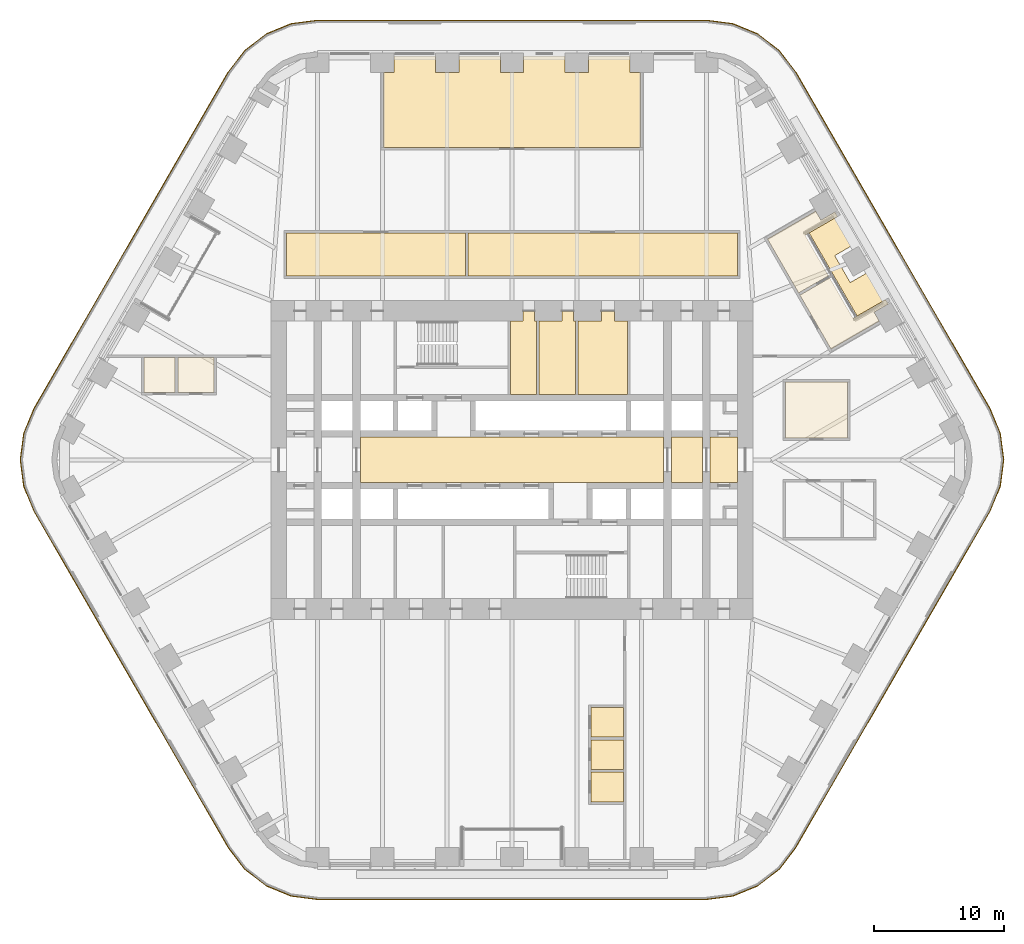
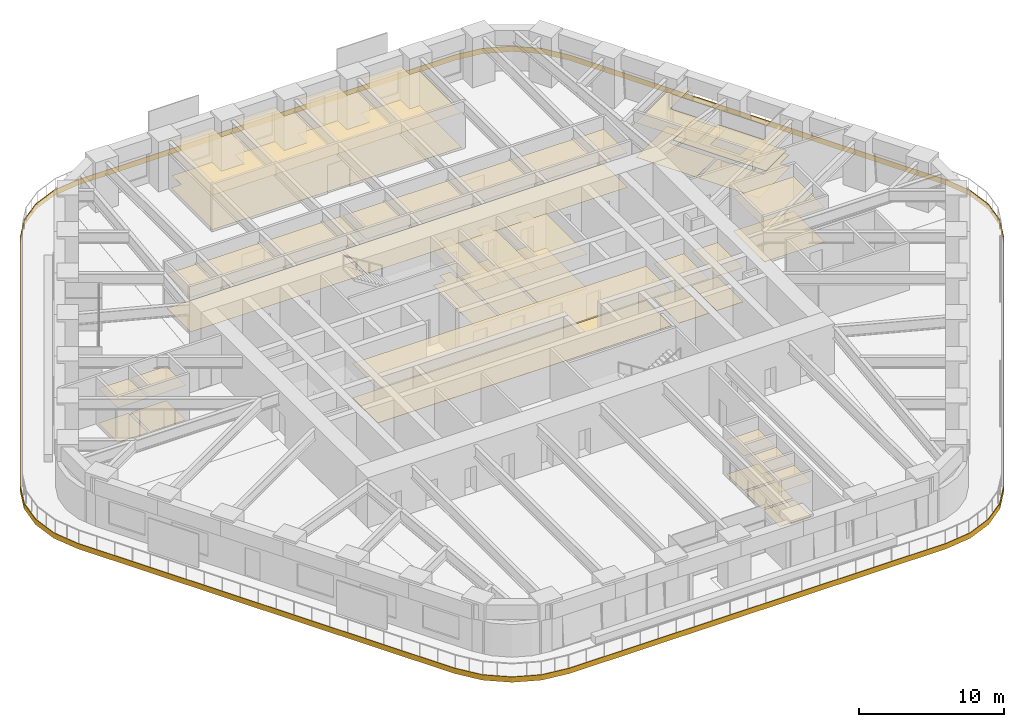
# One storey, part 23 of 24: 16 coverings.
"""IFC4 building model written with IfcOpenShell, lengths in metres."""

from ifc_helpers import new_model, si_unit, direction, frame, origin, place, context, subcontext, project, spatial, polyline, outline, extrude, material, layer, layer_set, type_object, element, save


model = new_model("IFC4")

# Units and contexts
model_context = context("Model", 3, precision=1e-05, world=origin(), true_north=direction((0.0, 1.0)))
body_context = subcontext(model_context, "Body", "Model", "MODEL_VIEW")
ifc_project = project(units=[si_unit("LENGTHUNIT", "METRE"), si_unit("AREAUNIT", "SQUARE_METRE"), si_unit("VOLUMEUNIT", "CUBIC_METRE"), si_unit("PLANEANGLEUNIT", "RADIAN"), si_unit("MASSUNIT", "GRAM", prefix="KILO")], contexts=[model_context])

# Site, building, storey
site_placement = place(None, origin())
site = spatial("IfcSite", under=ifc_project, at=site_placement, CompositionType="ELEMENT")
building_placement = place(site_placement, origin())
building = spatial("IfcBuilding", under=site, at=building_placement, Name="Tarfa Lantern Tower", CompositionType="ELEMENT")
storey_placement = place(building_placement, frame((0.0, 0.0, 136.300048828125)))
storey = spatial("IfcBuildingStorey", under=building, at=storey_placement, Name="L30", CompositionType="ELEMENT", Elevation=136.300048828125)

# Coverings
ifc_material_1 = material(Name="Mineral fibre acoustic tile on suspension grid", Category="finish")
ifc_layer_1 = layer(ifc_material_1, 0.02001953125)
ifc_layer_set_1 = layer_set([ifc_layer_1], Name="CL1 ACOUSTIC TILE CEILING 20")
covering_type_1 = type_object("IfcCoveringType", Name="CL1 ACOUSTIC TILE CEILING 20", PredefinedType="CEILING", material=ifc_layer_set_1)
covering_1_placement = place(storey_placement, frame((0.0, 0.0, 2.89990234375)))
element("IfcCovering", 1, at=covering_1_placement, inside=storey, type_object=covering_type_1, Name="Ceiling L30 CL1", PredefinedType="CEILING", context=body_context, shape_type="SweptSolid", body=[
    extrude(outline(polyline([(-17.39990234375, 17.5), (-3.60009765625, 17.5), (-3.60009765625, 14.199951171875), (-17.39990234375, 14.199951171875), (-17.39990234375, 17.5)])), origin(), (0.0, 0.0, 1.0), 0.02001953125),
    extrude(outline(polyline([(-3.39990234375, 17.5), (17.39990234375, 17.5), (17.39990234375, 14.199951171875), (-3.39990234375, 14.199951171875), (-3.39990234375, 17.5)])), origin(), (0.0, 0.0, 1.0), 0.02001953125),
    extrude(outline(polyline([(9.907470703125, 24.10009765625), (-9.907470703125, 24.10009765625), (-9.907470703125, 29.89990234375), (-9.107421875, 29.89990234375), (-9.107421875, 31.14990234375), (-5.90380859375, 31.14990234375), (-5.90380859375, 29.89990234375), (-4.103759765625, 29.89990234375), (-4.103759765625, 31.14990234375), (-0.89990234375, 31.14990234375), (-0.89990234375, 29.89990234375), (0.89990234375, 29.89990234375), (0.89990234375, 31.14990234375), (4.103759765625, 31.14990234375), (4.103759765625, 29.89990234375), (5.90380859375, 29.89990234375), (5.90380859375, 31.14990234375), (9.107421875, 31.14990234375), (9.107421875, 29.89990234375), (9.907470703125, 29.89990234375), (9.907470703125, 24.10009765625)])), origin(), (0.0, 0.0, 1.0), 0.02001953125),
    extrude(outline(polyline([(24.6220703125, 8.55322265625), (22.22021484375, 12.71337890625), (24.51513671875, 14.038330078125), (26.317138671875, 10.91748046875), (28.82861328125, 12.367431640625), (29.028564453125, 12.02099609375), (27.946044921875, 11.39599609375), (28.345947265625, 10.703369140625), (24.6220703125, 8.55322265625)])), origin(), (0.0, 0.0, 1.0), 0.02001953125),
    extrude(outline(polyline([(19.718505859375, 17.046630859375), (23.4423828125, 19.19677734375), (23.84228515625, 18.50390625), (24.9248046875, 19.12890625), (25.124755859375, 18.782470703125), (22.61328125, 17.33251953125), (24.415283203125, 14.211669921875), (22.120361328125, 12.88671875), (19.718505859375, 17.046630859375)])), origin(), (0.0, 0.0, 1.0), 0.02001953125),
    extrude(outline(polyline([(-25.795166015625, 5.199951171875), (-25.795166015625, 7.89990234375), (-22.9951171875, 7.89990234375), (-22.9951171875, 5.199951171875), (-25.795166015625, 5.199951171875)])), origin(), (0.0, 0.0, 1.0), 0.02001953125),
    extrude(outline(polyline([(-28.39501953125, 5.199951171875), (-28.39501953125, 7.89990234375), (-25.9951171875, 7.89990234375), (-25.9951171875, 5.199951171875), (-28.39501953125, 5.199951171875)])), origin(), (0.0, 0.0, 1.0), 0.02001953125),
    extrude(outline(polyline([(6.10009765625, -21.39990234375), (6.10009765625, -19.10009765625), (8.60009765625, -19.10009765625), (8.60009765625, -21.39990234375), (6.10009765625, -21.39990234375)])), origin(), (0.0, 0.0, 1.0), 0.02001953125),
    extrude(outline(polyline([(6.10009765625, -23.89990234375), (6.10009765625, -21.60009765625), (8.60009765625, -21.60009765625), (8.60009765625, -23.89990234375), (6.10009765625, -23.89990234375)])), origin(), (0.0, 0.0, 1.0), 0.02001953125),
    extrude(outline(polyline([(6.10009765625, -26.39990234375), (6.10009765625, -24.10009765625), (8.60009765625, -24.10009765625), (8.60009765625, -26.39990234375), (6.10009765625, -26.39990234375)])), origin(), (0.0, 0.0, 1.0), 0.02001953125),
    extrude(outline(polyline([(21.10009765625, 6.0), (25.89990234375, 6.0), (25.89990234375, 1.699951171875), (21.10009765625, 1.699951171875), (21.10009765625, 6.0)])), origin(), (0.0, 0.0, 1.0), 0.02001953125),
])
ifc_material_2 = material(Name="Moisture-resistant plasterboard", Category="finish")
ifc_layer_2 = layer(ifc_material_2, 0.014892578125)
ifc_layer_set_2 = layer_set([ifc_layer_2], Name="CL2 MOISTURE-RESISTANT PLASTERBOARD CEILING 15")
covering_type_2 = type_object("IfcCoveringType", Name="CL2 MOISTURE-RESISTANT PLASTERBOARD CEILING 15", PredefinedType="CEILING", material=ifc_layer_set_2)
covering_2_placement = place(storey_placement, frame((0.0, 0.0, 2.89990234375)))
element("IfcCovering", 2, at=covering_2_placement, inside=storey, type_object=covering_type_2, Name="Ceiling L30-09", PredefinedType="CEILING", context=body_context, shape_type="SweptSolid", body=[
    extrude(outline(polyline([(0.85009765625, 10.699951171875), (-0.10009765625, 10.699951171875), (-0.10009765625, 5.050048828125), (1.89990234375, 5.050048828125), (1.89990234375, 10.699951171875), (1.75, 10.699951171875), (1.75, 11.5), (1.75, 11.5), (0.85009765625, 11.5), (0.85009765625, 10.699951171875)])), origin(), (0.0, 0.0, 1.0), 0.01513671875),
])
covering_3_placement = place(storey_placement, frame((0.0, 0.0, 2.89990234375)))
element("IfcCovering", 3, at=covering_3_placement, inside=storey, type_object=covering_type_2, Name="Ceiling L30-10", PredefinedType="CEILING", context=body_context, shape_type="SweptSolid", body=[
    extrude(outline(polyline([(2.10009765625, 5.050048828125), (4.89990234375, 5.050048828125), (4.89990234375, 10.699951171875), (4.75, 10.699951171875), (4.75, 11.5), (3.85009765625, 11.5), (3.85009765625, 10.699951171875), (2.10009765625, 10.699951171875), (2.10009765625, 5.050048828125)])), origin(), (0.0, 0.0, 1.0), 0.01513671875),
])
covering_4_placement = place(storey_placement, frame((0.0, 0.0, 2.89990234375)))
element("IfcCovering", 4, at=covering_4_placement, inside=storey, type_object=covering_type_2, Name="Ceiling L30-11", PredefinedType="CEILING", context=body_context, shape_type="SweptSolid", body=[
    extrude(outline(polyline([(5.10009765625, 5.050048828125), (8.89990234375, 5.050048828125), (8.89990234375, 10.699951171875), (7.89990234375, 10.699951171875), (7.89990234375, 11.5), (6.89990234375, 11.5), (6.89990234375, 10.699951171875), (5.10009765625, 10.699951171875), (5.10009765625, 5.050048828125)])), origin(), (0.0, 0.0, 1.0), 0.01513671875),
])
ifc_material_3 = material(Name="Powder-coated aluminium panel", Category="aluminium")
ifc_layer_3 = layer(ifc_material_3, 0.030029296875)
ifc_layer_set_3 = layer_set([ifc_layer_3], Name="CL3 METAL PANEL CEILING 30")
covering_type_3 = type_object("IfcCoveringType", Name="CL3 METAL PANEL CEILING 30", PredefinedType="CEILING", material=ifc_layer_set_3)
covering_5_placement = place(storey_placement, frame((0.0, 0.0, 2.89990234375)))
element("IfcCovering", 5, at=covering_5_placement, inside=storey, type_object=covering_type_3, Name="Ceiling L30-03", PredefinedType="CEILING", context=body_context, shape_type="SweptSolid", body=[
    extrude(outline(polyline([(-11.699951171875, -1.75), (11.699951171875, -1.75), (11.699951171875, 1.75), (-11.699951171875, 1.75), (-11.699951171875, -1.75)])), origin(), (0.0, 0.0, 1.0), 0.030029296875),
])
covering_6_placement = place(storey_placement, frame((0.0, 0.0, 2.89990234375)))
element("IfcCovering", 6, at=covering_6_placement, inside=storey, type_object=covering_type_3, Name="Ceiling L30-04", PredefinedType="CEILING", context=body_context, shape_type="SweptSolid", body=[
    extrude(outline(polyline([(12.300048828125, -1.75), (14.699951171875, -1.75), (14.699951171875, 1.75), (12.300048828125, 1.75), (12.300048828125, -1.75)])), origin(), (0.0, 0.0, 1.0), 0.030029296875),
])
covering_7_placement = place(storey_placement, frame((0.0, 0.0, 2.89990234375)))
element("IfcCovering", 7, at=covering_7_placement, inside=storey, type_object=covering_type_3, Name="Ceiling L30-05", PredefinedType="CEILING", context=body_context, shape_type="SweptSolid", body=[
    extrude(outline(polyline([(15.300048828125, -1.75), (17.39990234375, -1.75), (17.39990234375, 1.75), (15.300048828125, 1.75), (15.300048828125, -1.75)])), origin(), (0.0, 0.0, 1.0), 0.030029296875),
])
ifc_material_4 = material(Name="Nylon carpet tile", Category="finish")
ifc_layer_4 = layer(ifc_material_4, 0.010009765625)
ifc_layer_set_4 = layer_set([ifc_layer_4], Name="FL1 CARPET TILE 10")
covering_type_4 = type_object("IfcCoveringType", Name="FL1 CARPET TILE 10", PredefinedType="FLOORING", material=ifc_layer_set_4)
covering_8_placement = place(storey_placement, origin())
element("IfcCovering", 8, at=covering_8_placement, inside=storey, type_object=covering_type_4, Name="Floor finish L30 FL1", PredefinedType="FLOORING", context=body_context, shape_type="SweptSolid", body=[
    extrude(outline(polyline([(-17.39990234375, 17.5), (-3.60009765625, 17.5), (-3.60009765625, 14.199951171875), (-17.39990234375, 14.199951171875), (-17.39990234375, 17.5)])), origin(), (0.0, 0.0, 1.0), 0.010009765625),
    extrude(outline(polyline([(-3.39990234375, 17.5), (17.39990234375, 17.5), (17.39990234375, 14.199951171875), (-3.39990234375, 14.199951171875), (-3.39990234375, 17.5)])), origin(), (0.0, 0.0, 1.0), 0.010009765625),
    extrude(outline(polyline([(9.907470703125, 24.10009765625), (-9.907470703125, 24.10009765625), (-9.907470703125, 29.89990234375), (-9.107421875, 29.89990234375), (-9.107421875, 31.14990234375), (-5.90380859375, 31.14990234375), (-5.90380859375, 29.89990234375), (-4.103759765625, 29.89990234375), (-4.103759765625, 31.14990234375), (-0.89990234375, 31.14990234375), (-0.89990234375, 29.89990234375), (0.89990234375, 29.89990234375), (0.89990234375, 31.14990234375), (4.103759765625, 31.14990234375), (4.103759765625, 29.89990234375), (5.90380859375, 29.89990234375), (5.90380859375, 31.14990234375), (9.107421875, 31.14990234375), (9.107421875, 29.89990234375), (9.907470703125, 29.89990234375), (9.907470703125, 24.10009765625)])), origin(), (0.0, 0.0, 1.0), 0.010009765625),
    extrude(outline(polyline([(24.6220703125, 8.55322265625), (22.22021484375, 12.71337890625), (24.51513671875, 14.038330078125), (26.317138671875, 10.91748046875), (28.82861328125, 12.367431640625), (29.028564453125, 12.02099609375), (27.946044921875, 11.39599609375), (28.345947265625, 10.703369140625), (24.6220703125, 8.55322265625)])), origin(), (0.0, 0.0, 1.0), 0.010009765625),
    extrude(outline(polyline([(19.718505859375, 17.046630859375), (23.4423828125, 19.19677734375), (23.84228515625, 18.50390625), (24.9248046875, 19.12890625), (25.124755859375, 18.782470703125), (22.61328125, 17.33251953125), (24.415283203125, 14.211669921875), (22.120361328125, 12.88671875), (19.718505859375, 17.046630859375)])), origin(), (0.0, 0.0, 1.0), 0.010009765625),
    extrude(outline(polyline([(-25.795166015625, 5.199951171875), (-25.795166015625, 7.89990234375), (-22.9951171875, 7.89990234375), (-22.9951171875, 5.199951171875), (-25.795166015625, 5.199951171875)])), origin(), (0.0, 0.0, 1.0), 0.010009765625),
    extrude(outline(polyline([(-28.39501953125, 5.199951171875), (-28.39501953125, 7.89990234375), (-25.9951171875, 7.89990234375), (-25.9951171875, 5.199951171875), (-28.39501953125, 5.199951171875)])), origin(), (0.0, 0.0, 1.0), 0.010009765625),
    extrude(outline(polyline([(6.10009765625, -21.39990234375), (6.10009765625, -19.10009765625), (8.60009765625, -19.10009765625), (8.60009765625, -21.39990234375), (6.10009765625, -21.39990234375)])), origin(), (0.0, 0.0, 1.0), 0.010009765625),
    extrude(outline(polyline([(6.10009765625, -23.89990234375), (6.10009765625, -21.60009765625), (8.60009765625, -21.60009765625), (8.60009765625, -23.89990234375), (6.10009765625, -23.89990234375)])), origin(), (0.0, 0.0, 1.0), 0.010009765625),
    extrude(outline(polyline([(6.10009765625, -26.39990234375), (6.10009765625, -24.10009765625), (8.60009765625, -24.10009765625), (8.60009765625, -26.39990234375), (6.10009765625, -26.39990234375)])), origin(), (0.0, 0.0, 1.0), 0.010009765625),
    extrude(outline(polyline([(21.10009765625, 6.0), (25.89990234375, 6.0), (25.89990234375, 1.699951171875), (21.10009765625, 1.699951171875), (21.10009765625, 6.0)])), origin(), (0.0, 0.0, 1.0), 0.010009765625),
])
ifc_material_5 = material(Name="Honed limestone flooring", Category="masonry")
ifc_layer_5 = layer(ifc_material_5, 0.030029296875)
ifc_layer_set_5 = layer_set([ifc_layer_5], Name="FL2 STONE FLOORING 30")
covering_type_5 = type_object("IfcCoveringType", Name="FL2 STONE FLOORING 30", PredefinedType="FLOORING", material=ifc_layer_set_5)
covering_9_placement = place(storey_placement, origin())
element("IfcCovering", 9, at=covering_9_placement, inside=storey, type_object=covering_type_5, Name="Floor finish L30-03", PredefinedType="FLOORING", context=body_context, shape_type="SweptSolid", body=[
    extrude(outline(polyline([(-11.699951171875, -1.75), (11.699951171875, -1.75), (11.699951171875, 1.75), (-11.699951171875, 1.75), (-11.699951171875, -1.75)])), origin(), (0.0, 0.0, 1.0), 0.030029296875),
])
covering_10_placement = place(storey_placement, origin())
element("IfcCovering", 10, at=covering_10_placement, inside=storey, type_object=covering_type_5, Name="Floor finish L30-04", PredefinedType="FLOORING", context=body_context, shape_type="SweptSolid", body=[
    extrude(outline(polyline([(12.300048828125, -1.75), (14.699951171875, -1.75), (14.699951171875, 1.75), (12.300048828125, 1.75), (12.300048828125, -1.75)])), origin(), (0.0, 0.0, 1.0), 0.030029296875),
])
covering_11_placement = place(storey_placement, origin())
element("IfcCovering", 11, at=covering_11_placement, inside=storey, type_object=covering_type_5, Name="Floor finish L30-05", PredefinedType="FLOORING", context=body_context, shape_type="SweptSolid", body=[
    extrude(outline(polyline([(15.300048828125, -1.75), (17.39990234375, -1.75), (17.39990234375, 1.75), (15.300048828125, 1.75), (15.300048828125, -1.75)])), origin(), (0.0, 0.0, 1.0), 0.030029296875),
])
ifc_material_6 = material(Name="Porcelain floor tile", Category="finish")
ifc_layer_6 = layer(ifc_material_6, 0.011962890625)
ifc_layer_set_6 = layer_set([ifc_layer_6], Name="FL3 CERAMIC TILE 12")
covering_type_6 = type_object("IfcCoveringType", Name="FL3 CERAMIC TILE 12", PredefinedType="FLOORING", material=ifc_layer_set_6)
covering_12_placement = place(storey_placement, origin())
element("IfcCovering", 12, at=covering_12_placement, inside=storey, type_object=covering_type_6, Name="Floor finish L30-09", PredefinedType="FLOORING", context=body_context, shape_type="SweptSolid", body=[
    extrude(outline(polyline([(0.85009765625, 10.699951171875), (-0.10009765625, 10.699951171875), (-0.10009765625, 5.050048828125), (1.89990234375, 5.050048828125), (1.89990234375, 10.699951171875), (1.75, 10.699951171875), (1.75, 11.5), (1.75, 11.5), (0.85009765625, 11.5), (0.85009765625, 10.699951171875)])), origin(), (0.0, 0.0, 1.0), 0.011962890625),
])
covering_13_placement = place(storey_placement, origin())
element("IfcCovering", 13, at=covering_13_placement, inside=storey, type_object=covering_type_6, Name="Floor finish L30-10", PredefinedType="FLOORING", context=body_context, shape_type="SweptSolid", body=[
    extrude(outline(polyline([(2.10009765625, 5.050048828125), (4.89990234375, 5.050048828125), (4.89990234375, 10.699951171875), (4.75, 10.699951171875), (4.75, 11.5), (3.85009765625, 11.5), (3.85009765625, 10.699951171875), (2.10009765625, 10.699951171875), (2.10009765625, 5.050048828125)])), origin(), (0.0, 0.0, 1.0), 0.011962890625),
])
covering_14_placement = place(storey_placement, origin())
element("IfcCovering", 14, at=covering_14_placement, inside=storey, type_object=covering_type_6, Name="Floor finish L30-11", PredefinedType="FLOORING", context=body_context, shape_type="SweptSolid", body=[
    extrude(outline(polyline([(5.10009765625, 5.050048828125), (8.89990234375, 5.050048828125), (8.89990234375, 10.699951171875), (7.89990234375, 10.699951171875), (7.89990234375, 11.5), (6.89990234375, 11.5), (6.89990234375, 10.699951171875), (5.10009765625, 10.699951171875), (5.10009765625, 5.050048828125)])), origin(), (0.0, 0.0, 1.0), 0.011962890625),
])
ifc_material_7 = material(Name="Porcelain pavers on pedestals", Category="ceramic")
ifc_layer_7 = layer(ifc_material_7, 0.0400390625)
ifc_layer_set_7 = layer_set([ifc_layer_7], Name="LP1 LOGGIA PAVING 40")
covering_type_7 = type_object("IfcCoveringType", Name="LP1 LOGGIA PAVING 40", PredefinedType="FLOORING", material=ifc_layer_set_7)
covering_15_placement = place(storey_placement, origin())
element("IfcCovering", 15, at=covering_15_placement, inside=storey, type_object=covering_type_7, Name="Loggia paving NE", PredefinedType="FLOORING", context=body_context, shape_type="SweptSolid", body=[
    extrude(outline(polyline([(29.131591796875, 12.54248046875), (26.637451171875, 11.1025390625), (22.933837890625, 17.517578125), (25.427978515625, 18.95751953125), (26.6796875, 16.789306640625), (24.904541015625, 15.76416015625), (26.1044921875, 13.685791015625), (27.8798828125, 14.710693359375), (29.131591796875, 12.54248046875)])), origin(), (0.0, 0.0, 1.0), 0.0400390625),
])
ifc_material_8 = material(Name="Limestone cladding on brackets", Category="masonry")
ifc_layer_8 = layer(ifc_material_8, 0.050048828125)
ifc_layer_set_8 = layer_set([ifc_layer_8], Name="SB1 STONE BAND CLADDING 50")
covering_type_8 = type_object("IfcCoveringType", Name="SB1 STONE BAND CLADDING 50", PredefinedType="CLADDING", material=ifc_layer_set_8)
covering_16_placement = place(storey_placement, frame((0.0, 0.0, -0.400146484375)))
element("IfcCovering", 16, at=covering_16_placement, inside=storey, type_object=covering_type_8, Name="Stone band", PredefinedType="CLADDING", context=body_context, shape_type="SweptSolid", body=[
    extrude(outline(polyline([(36.9072265625, 3.97509765625), (21.89599609375, 29.97509765625), (20.632568359375, 31.62158203125), (18.986083984375, 32.885009765625), (17.068603515625, 33.67919921875), (15.010986328125, 33.949951171875), (-15.010986328125, 33.949951171875), (-17.068603515625, 33.67919921875), (-18.986083984375, 32.885009765625), (-20.632568359375, 31.62158203125), (-21.89599609375, 29.97509765625), (-36.9072265625, 3.97509765625), (-37.701416015625, 2.0576171875), (-37.97216796875, 0.0), (-37.701416015625, -2.0576171875), (-36.9072265625, -3.97509765625), (-21.89599609375, -29.97509765625), (-20.632568359375, -31.62158203125), (-18.986083984375, -32.885009765625), (-17.068603515625, -33.67919921875), (-15.010986328125, -33.949951171875), (15.010986328125, -33.949951171875), (17.068603515625, -33.67919921875), (18.986083984375, -32.885009765625), (20.632568359375, -31.62158203125), (21.89599609375, -29.97509765625), (36.9072265625, -3.97509765625), (37.701416015625, -2.0576171875), (37.97216796875, 0.0), (37.701416015625, 2.0576171875), (36.9072265625, 3.97509765625)]), holes=[polyline([(36.86376953125, 3.949951171875), (21.852783203125, 29.949951171875), (20.59716796875, 31.586181640625), (18.961181640625, 32.841552734375), (17.0556640625, 33.630859375), (15.010986328125, 33.89990234375), (-15.010986328125, 33.89990234375), (-17.0556640625, 33.630859375), (-18.961181640625, 32.841552734375), (-20.59716796875, 31.586181640625), (-21.852783203125, 29.949951171875), (-36.86376953125, 3.949951171875), (-37.653076171875, 2.044677734375), (-37.922119140625, 0.0), (-37.653076171875, -2.044677734375), (-36.86376953125, -3.949951171875), (-21.852783203125, -29.949951171875), (-20.59716796875, -31.586181640625), (-18.961181640625, -32.841552734375), (-17.0556640625, -33.630859375), (-15.010986328125, -33.89990234375), (15.010986328125, -33.89990234375), (17.0556640625, -33.630859375), (18.961181640625, -32.841552734375), (20.59716796875, -31.586181640625), (21.852783203125, -29.949951171875), (36.86376953125, -3.949951171875), (37.653076171875, -2.044677734375), (37.922119140625, 0.0), (37.653076171875, 2.044677734375), (36.86376953125, 3.949951171875)])]), origin(), (0.0, 0.0, 1.0), 0.4501953125),
])

save(model, "model.ifc")
